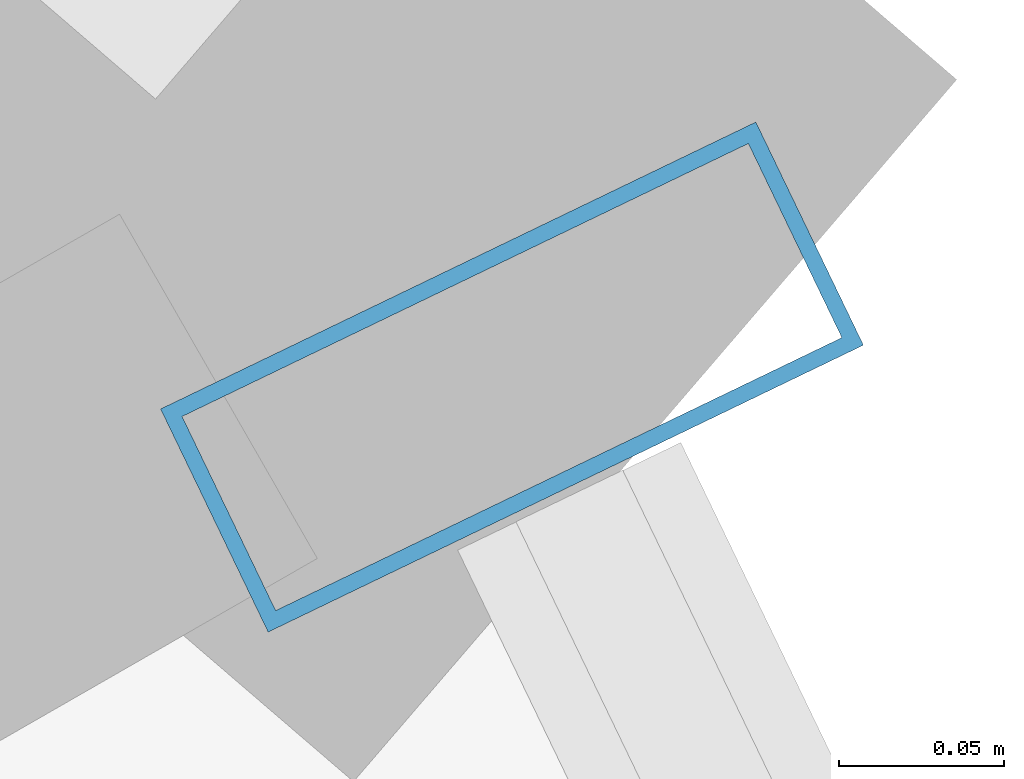
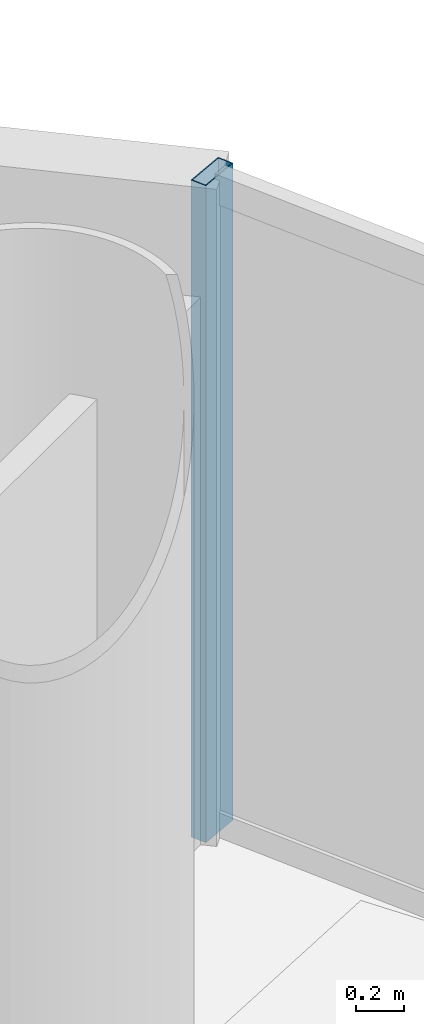
# One storey, part 18 of 26: 1 member, 1 element without a shape of its own.
"""IFC4 building model written with IfcOpenShell, lengths in metres."""

from ifc_helpers import new_model, si_unit, direction, frame, origin, origin_2d, place, context, subcontext, project, spatial, hollow_rectangle, extrude, source, transform, mapped, material, material_profile, profile_set, type_object, element, aggregate, save


model = new_model("IFC4")

# Units and contexts
model_context = context("Model", 3, precision=1e-05, world=origin(), true_north=direction((-0.2419218956, 0.970295726276)))
body_context = subcontext(model_context, "Body", "Model", "MODEL_VIEW")
ifc_project = project(units=[si_unit("LENGTHUNIT", "METRE"), si_unit("AREAUNIT", "SQUARE_METRE"), si_unit("VOLUMEUNIT", "CUBIC_METRE"), si_unit("PLANEANGLEUNIT", "RADIAN"), si_unit("MASSUNIT", "GRAM", prefix="KILO")], contexts=[model_context])

# Site, building, storey
site_placement = place(None, origin())
site = spatial("IfcSite", under=ifc_project, at=site_placement, CompositionType="ELEMENT")
building_placement = place(site_placement, origin())
building = spatial("IfcBuilding", under=site, at=building_placement, Name="Cobrevalo Terracotta Tower", CompositionType="ELEMENT")
storey_placement = place(building_placement, frame((0.0, 0.0, 167.800048828125)))
storey = spatial("IfcBuildingStorey", under=building, at=storey_placement, Name="L44", CompositionType="ELEMENT", Elevation=167.800048828125)

# Curtain wall, member
ifc_material = material(Name="Anodized aluminium", Category="aluminium")
curtain_wall_type = type_object("IfcCurtainWallType", Name="Mid-tower high-wind unitised curtain wall CW-U2", PredefinedType="NOTDEFINED", material=ifc_material)
curtain_wall_placement = place(storey_placement, origin())
curtain_wall = element("IfcCurtainWall", 1, at=curtain_wall_placement, inside=storey, type_object=curtain_wall_type, Name="L44 curtain wall CW-L44-S01", PredefinedType="NOTDEFINED")
ifc_material_profile = material_profile(ifc_material, hollow_rectangle(XDim=0.074951171875, YDim=0.199951171875, WallThickness=0.0048828125, at=origin_2d()), Name="CWM 75x200")
ifc_profile_set = profile_set([ifc_material_profile], Name="Anodized aluminium")
member_type = type_object("IfcMemberType", Name="Lower/mid tower unitised mullion 75x200", PredefinedType="MULLION", material=ifc_profile_set)
shared_shape = source(origin(), body_context, "Body", "SweptSolid", [
    extrude(hollow_rectangle(XDim=0.074951171875, YDim=0.199951171875, WallThickness=0.0048828125, at=origin_2d()), origin(), (0.0, 0.0, 1.0), 3.329833984375),
])
member_placement = place(storey_placement, frame((58.114013671875, 38.30322265625, 0.0), z_axis=(0.0, 0.0, 1.0), x_axis=(-0.434209440271, 0.900811945957, 0.0)))
member = element("IfcMember", 2, at=member_placement, type_object=member_type, Name="CW-L44-S01 vertical mullion 03", PredefinedType="MULLION", context=body_context, shape_type="MappedRepresentation", body=[
    mapped(shared_shape, transform((0.0, 0.0, 0.0), scale=1.0)),
])
aggregate(curtain_wall, [member])

save(model, "model.ifc")
